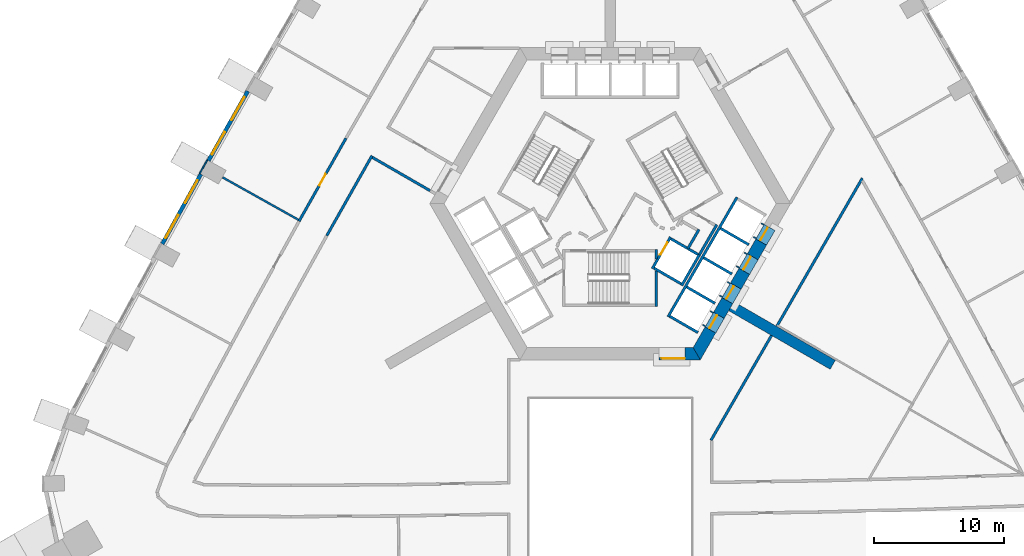
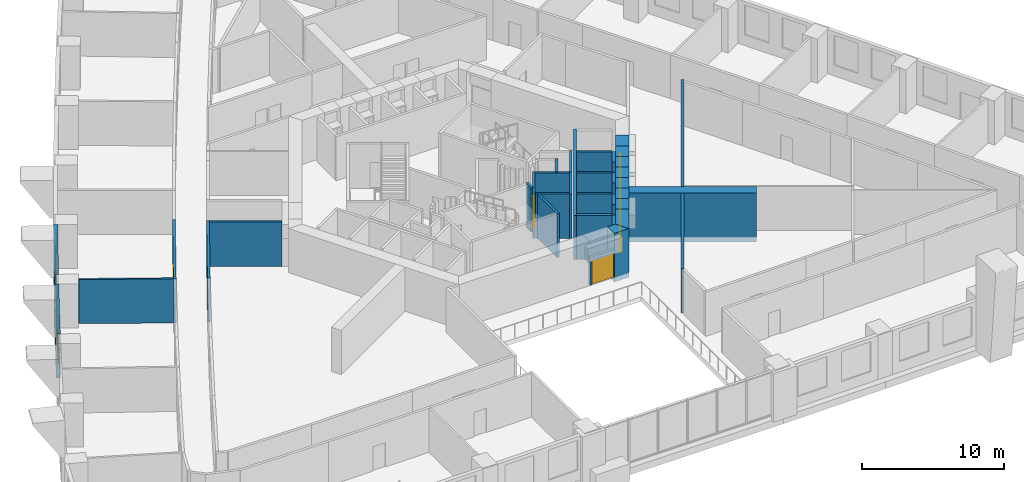
# One storey, part 6 of 17: 37 walls, 7 doors, 4 windows, 11 openings.
"""IFC4 building model written with IfcOpenShell, lengths in metres."""

import ifcopenshell
import ifcopenshell.guid

model = None  # the IFC model being written
_history = None  # IfcOwnerHistory: only IFC2X3 demands one
_inside = {}  # id of a spatial element -> (the spatial element, [elements in it])
_under = {}  # id of a project, library or spatial element -> (it, [spatial elements below it])
_declared = {}  # id of a project -> (the project, [libraries it declares])
_typed = {}  # id of a type object -> (the type object, [elements of that type])
_made_of = {}  # id of a material, layer set ... -> (it, [elements and type objects made of it])


def new_model(schema):
    """Start an empty IFC model of exactly this schema.

    Asked for "IFC4X3", IfcOpenShell would pick the latest addendum, in which some entities
    have other attributes; the version numbers below select the first issue.
    IFC2X3 requires an IfcOwnerHistory on every rooted entity: one is made here for all.
    """
    global model, _history
    if schema == "IFC4X3":
        model = ifcopenshell.file(schema_version=(4, 3, 0, 0))
    else:
        model = ifcopenshell.file(schema=schema)
    _inside.clear()
    _under.clear()
    _declared.clear()
    _typed.clear()
    _made_of.clear()
    _history = None
    if model.schema == "IFC2X3":
        org = make("IfcOrganization", Name="unknown")
        user = make(
            "IfcPersonAndOrganization",
            ThePerson=make("IfcPerson", FamilyName="unknown"),
            TheOrganization=org,
        )
        app = make(
            "IfcApplication",
            ApplicationDeveloper=org,
            Version="unknown",
            ApplicationFullName="unknown",
            ApplicationIdentifier="unknown",
        )
        _history = make(
            "IfcOwnerHistory",
            OwningUser=user,
            OwningApplication=app,
            ChangeAction="ADDED",
            CreationDate=0,
        )
    return model


def make(cls, **values):
    """One entity of the class cls with the attributes given. An attribute that is None is left unset."""
    return model.create_entity(
        cls, **{name: value for name, value in values.items() if value is not None}
    )


def rooted(cls, **values):
    """An entity with a GlobalId (a new one), such as an element, a storey or a relation."""
    return make(cls, GlobalId=ifcopenshell.guid.new(), OwnerHistory=_history, **values)


def si_unit(unit_type, name, prefix=None):
    """IfcSIUnit, for example si_unit("LENGTHUNIT", "METRE", prefix="MILLI")."""
    return make("IfcSIUnit", UnitType=unit_type, Prefix=prefix, Name=name)


def assignment(units):
    """IfcUnitAssignment: the units of a project."""
    return None if units is None else make("IfcUnitAssignment", Units=units)


def point(xyz):
    """IfcCartesianPoint."""
    return None if xyz is None else make("IfcCartesianPoint", Coordinates=xyz)


def direction(xyz):
    """IfcDirection."""
    return None if xyz is None else make("IfcDirection", DirectionRatios=xyz)


def frame(location, z_axis=None, x_axis=None):
    """IfcAxis2Placement3D, a coordinate frame: its origin and axes. An axis left out is left unset."""
    return make(
        "IfcAxis2Placement3D",
        Location=point(location),
        Axis=direction(z_axis),
        RefDirection=direction(x_axis),
    )


def frame_2d(location, x_axis=None):
    """IfcAxis2Placement2D, a coordinate frame in the plane: its origin and x axis."""
    return make(
        "IfcAxis2Placement2D", Location=point(location), RefDirection=direction(x_axis)
    )


def origin():
    """The frame at (0, 0, 0) with its axes left unset."""
    return frame((0.0, 0.0, 0.0))


def place(relative_to, where):
    """IfcLocalPlacement: puts the frame where relative to a parent placement (None: the world)."""
    return make(
        "IfcLocalPlacement", PlacementRelTo=relative_to, RelativePlacement=where
    )


def context(
    kind, dimensions, precision=None, world=None, true_north=None, identifier=None
):
    """IfcGeometricRepresentationContext, for example the 3D "Model" context."""
    return make(
        "IfcGeometricRepresentationContext",
        ContextIdentifier=identifier,
        ContextType=kind,
        CoordinateSpaceDimension=dimensions,
        Precision=precision,
        WorldCoordinateSystem=world,
        TrueNorth=true_north,
    )


def subcontext(parent, identifier, kind, view, scale=None):
    """IfcGeometricRepresentationSubContext, for example "Body" below "Model"."""
    return make(
        "IfcGeometricRepresentationSubContext",
        ContextIdentifier=identifier,
        ContextType=kind,
        ParentContext=parent,
        TargetScale=scale,
        TargetView=view,
    )


def project(units=None, contexts=None):
    """IfcProject with its units and contexts."""
    return rooted(
        "IfcProject",
        Name="project",
        RepresentationContexts=contexts,
        UnitsInContext=assignment(units),
    )


def spatial(cls, under=None, at=None, **own):
    """A site, building, storey or space (cls), placed at a placement, below another one or the project."""
    s = rooted(cls, ObjectPlacement=at, **own)
    if under is not None:
        _under.setdefault(under.id(), (under, []))[1].append(s)
    return s


def polyline(points):
    """IfcPolyline through the points."""
    return make("IfcPolyline", Points=[point(p) for p in points])


def profile(cls, at=None, kind="AREA", **sizes):
    """A parametric profile (cls). Its sizes go by their IFC names, for example OverallWidth=200.0."""
    return make(cls, ProfileType=kind, Position=at, **sizes)


def rectangle(**sizes):
    """IfcRectangleProfileDef."""
    return profile("IfcRectangleProfileDef", **sizes)


def outline(outer, holes=None, kind="AREA"):
    """IfcArbitraryClosedProfileDef: a profile drawn as a closed curve; with holes, ...WithVoids."""
    if holes is None:
        return make("IfcArbitraryClosedProfileDef", ProfileType=kind, OuterCurve=outer)
    return make(
        "IfcArbitraryProfileDefWithVoids",
        ProfileType=kind,
        OuterCurve=outer,
        InnerCurves=holes,
    )


def extrude(swept, where, along, depth):
    """IfcExtrudedAreaSolid: the profile swept, set in the frame where, extruded along a direction by depth."""
    return make(
        "IfcExtrudedAreaSolid",
        SweptArea=swept,
        Position=where,
        ExtrudedDirection=direction(along),
        Depth=depth,
    )


def shape(context_of_items, identifier, shape_type, items):
    """IfcShapeRepresentation: the items that make up one representation, for example the "Body"."""
    return make(
        "IfcShapeRepresentation",
        ContextOfItems=context_of_items,
        RepresentationIdentifier=identifier,
        RepresentationType=shape_type,
        Items=items,
    )


def material(Name=None, Category=None):
    """IfcMaterial."""
    return make("IfcMaterial", Name=Name, Category=Category)


def layer(
    of_material, thickness, ventilated=None, Name=None, Category=None, Priority=None
):
    """IfcMaterialLayer: one layer of a wall or slab, of a material (None: an air gap)."""
    return make(
        "IfcMaterialLayer",
        Material=of_material,
        LayerThickness=thickness,
        IsVentilated=ventilated,
        Name=Name,
        Category=Category,
        Priority=Priority,
    )


def layer_set(layers, Name=None):
    """IfcMaterialLayerSet."""
    return make("IfcMaterialLayerSet", MaterialLayers=layers, LayerSetName=Name)


def made_of(thing, what):
    """Note that an element or type object is made of a material, layer set ...; save() writes the relation."""
    if what is not None:
        _made_of.setdefault(what.id(), (what, []))[1].append(thing)
    return thing


def type_object(cls, material=None, **own):
    """A type object (cls), such as IfcWallType, which elements share."""
    return made_of(rooted(cls, **own), material)


def element(
    cls,
    number,
    at=None,
    inside=None,
    cuts=None,
    type_object=None,
    material=None,
    context=None,
    identifier="Body",
    shape_type=None,
    held_by="IfcProductDefinitionShape",
    body=None,
    shapes=None,
    **own,
):
    """One element of the class cls, such as IfcWall. Its Tag is "e" and its number.

    at: its placement. inside: the storey or other place that contains it. cuts: it is an
    opening in that element (IfcRelVoidsElement). A single representation is given by context,
    identifier, shape_type and body (its items); several are given by shapes. held_by: the class
    of the entity that holds the representations. save() writes the other relations.
    """
    e = rooted(cls, Tag="e%d" % number, ObjectPlacement=at, **own)
    if body is not None:
        shapes = [shape(context, identifier, shape_type, body)]
    if shapes is not None:
        e.Representation = make(held_by, Representations=shapes)
    if inside is not None:
        _inside.setdefault(inside.id(), (inside, []))[1].append(e)
    if cuts is not None:
        rooted(
            "IfcRelVoidsElement", RelatingBuildingElement=cuts, RelatedOpeningElement=e
        )
    if type_object is not None:
        _typed.setdefault(type_object.id(), (type_object, []))[1].append(e)
    return made_of(e, material)


def fill(opening, filler):
    """IfcRelFillsElement: the door or window that sits in an opening."""
    return rooted(
        "IfcRelFillsElement",
        RelatingOpeningElement=opening,
        RelatedBuildingElement=filler,
    )


def aggregate(whole, parts):
    """IfcRelAggregates: a whole, such as a stair, and the parts it consists of."""
    return rooted("IfcRelAggregates", RelatingObject=whole, RelatedObjects=parts)


def save(model, path):
    """Write the relations noted so far, then the file.

    IfcRelAggregates (storeys below a building ...), IfcRelContainedInSpatialStructure (elements
    in a storey), IfcRelDefinesByType, IfcRelAssociatesMaterial and IfcRelDeclares: one each for
    every whole, place, type object, material and project.
    """
    for whole, parts in _under.values():
        aggregate(whole, parts)
    for where, things in _inside.values():
        rooted(
            "IfcRelContainedInSpatialStructure",
            RelatedElements=things,
            RelatingStructure=where,
        )
    for kind, things in _typed.values():
        rooted("IfcRelDefinesByType", RelatedObjects=things, RelatingType=kind)
    for what, things in _made_of.values():
        rooted("IfcRelAssociatesMaterial", RelatedObjects=things, RelatingMaterial=what)
    for by, libraries in _declared.values():
        rooted("IfcRelDeclares", RelatingContext=by, RelatedDefinitions=libraries)
    model.write(path)


model = new_model("IFC4")

# Units and contexts
model_context = context("Model", 3, precision=1e-05, world=origin(), true_north=direction((0.0, 1.0)))
body_context = subcontext(model_context, "Body", "Model", "MODEL_VIEW")
ifc_project = project(units=[si_unit("LENGTHUNIT", "METRE"), si_unit("AREAUNIT", "SQUARE_METRE"), si_unit("VOLUMEUNIT", "CUBIC_METRE"), si_unit("PLANEANGLEUNIT", "RADIAN"), si_unit("MASSUNIT", "GRAM", prefix="KILO")], contexts=[model_context])

# Site, building, storey
site_placement = place(None, origin())
site = spatial("IfcSite", under=ifc_project, at=site_placement, CompositionType="ELEMENT")
building_placement = place(site_placement, origin())
building = spatial("IfcBuilding", under=site, at=building_placement, Name="Entoto Arch Interchange Tower", CompositionType="ELEMENT")
storey_placement = place(building_placement, frame((0.0, 0.0, 72.800048828125)))
storey = spatial("IfcBuildingStorey", under=building, at=storey_placement, Name="L15", CompositionType="ELEMENT", Elevation=72.800048828125)

# Wall
ifc_material_1 = material(Name="Concrete C60/75", Category="concrete")
ifc_layer_1 = layer(ifc_material_1, 0.800048828125)
ifc_layer_set_1 = layer_set([ifc_layer_1], Name="Concrete C60/75")
wall_type_1 = type_object("IfcWallType", Name="Buttress wall 800 C60/75", PredefinedType="SHEAR", material=ifc_layer_set_1)
wall_1_placement = place(storey_placement, frame((9.31005859375, -5.375, -0.400146484375), z_axis=(0.0, 0.0, 1.0), x_axis=(0.866017533419, -0.500013631625, 0.0)))
element("IfcWall", 1, at=wall_1_placement, inside=storey, type_object=wall_type_1, Name="Buttress wall SE L15", PredefinedType="SHEAR", context=body_context, shape_type="SweptSolid", body=[
    extrude(rectangle(XDim=8.999755859375, YDim=0.800048828125, at=frame_2d((4.5, 0.0))), origin(), (0.0, 0.0, 1.0), 4.2001953125),
])

# Wall, opening, door
ifc_material_2 = material(Name="Reinforced concrete C40/50", Category="concrete")
ifc_layer_2 = layer(ifc_material_2, 0.199951171875)
ifc_layer_set_2 = layer_set([ifc_layer_2], Name="Reinforced concrete C40/50")
wall_type_2 = type_object("IfcWallType", Name="CORE GAP INFILL WALL", PredefinedType="PARTITIONING", material=ifc_layer_set_2)
wall_2_placement = place(storey_placement, frame((3.75, -9.39990234375, 0.0), z_axis=(0.0, 0.0, 1.0), x_axis=(1.0, 0.0, 0.0)))
wall_2 = element("IfcWall", 2, at=wall_2_placement, inside=storey, type_object=wall_type_2, Name="wall:L15:gap1", PredefinedType="PARTITIONING", context=body_context, shape_type="SweptSolid", body=[
    extrude(rectangle(XDim=2.0, YDim=0.199951171875, at=frame_2d((1.0, 0.0))), origin(), (0.0, 0.0, 1.0), 2.39990234375),
])
opening_1_placement = place(wall_2_placement, frame((0.18994140625, 0.0, 0.0)))
opening_1 = element("IfcOpeningElement", 3, at=opening_1_placement, cuts=wall_2, Name="Opening L15-D91", PredefinedType="OPENING", context=body_context, shape_type="SweptSolid", body=[
    extrude(rectangle(XDim=1.800048828125, YDim=2.10009765625, at=frame_2d((0.89990234375, 1.050048828125))), frame((0.0, 0.10986328125, 0.0), z_axis=(0.0, -1.0, 0.0), x_axis=(1.0, 0.0, 0.0)), (0.0, 0.0, 1.0), 0.219970703125),
])
ifc_material_3 = material(Name="Fire-rated Steel S235 door and frame", Category="steel")
door_type_1 = type_object("IfcDoorType", Name="DOOR FD-18 1800x2100", OperationType="DOUBLE_DOOR_SINGLE_SWING", PredefinedType="DOOR", material=ifc_material_3)
door_1_placement = place(opening_1_placement, origin())
door_1 = element("IfcDoor", 4, at=door_1_placement, inside=storey, type_object=door_type_1, Name="door:L15:gap1", OperationType="DOUBLE_DOOR_SINGLE_SWING", OverallHeight=2.10009765625, OverallWidth=1.800048828125, PredefinedType="DOOR", context=body_context, shape_type="SweptSolid", body=[
    extrude(rectangle(XDim=1.800048828125, YDim=2.10009765625, at=frame_2d((0.89990234375, 1.050048828125))), frame((0.0, 0.02490234375, 0.0), z_axis=(0.0, -1.0, 0.0), x_axis=(1.0, 0.0, 0.0)), (0.0, 0.0, 1.0), 0.050048828125),
])
fill(opening_1, door_1)

# Walls
ifc_layer_3 = layer(ifc_material_1, 0.949951171875)
ifc_layer_set_3 = layer_set([ifc_layer_3], Name="Concrete C60/75")
wall_type_3 = type_object("IfcWallType", Name="Core wall 950 C60/75", PredefinedType="SHEAR", material=ifc_layer_set_3)
wall_3_placement = place(storey_placement, frame((0.0, 0.0, -0.400146484375)))
element("IfcWall", 5, at=wall_3_placement, inside=storey, type_object=wall_type_3, Name="Core wall S L15", PredefinedType="SHEAR", context=body_context, shape_type="SweptSolid", body=[
    extrude(outline(polyline([(5.75, -8.550048828125), (5.75, -9.5), (6.927978515625, -9.5), (6.3798828125, -8.550048828125), (5.75, -8.550048828125)])), origin(), (0.0, 0.0, 1.0), 4.2001953125),
])
wall_4_placement = place(storey_placement, frame((0.0, 0.0, -0.400146484375)))
element("IfcWall", 6, at=wall_4_placement, inside=storey, type_object=wall_type_3, Name="Core wall SE L15", PredefinedType="SHEAR", context=body_context, shape_type="SweptSolid", body=[
    extrude(outline(polyline([(8.116943359375, -7.43994140625), (7.294921875, -6.965087890625), (6.3798828125, -8.550048828125), (6.927978515625, -9.5), (8.116943359375, -7.43994140625)])), origin(), (0.0, 0.0, 1.0), 4.2001953125),
])
wall_5_placement = place(storey_placement, frame((0.0, 0.0, -0.400146484375)))
element("IfcWall", 7, at=wall_5_placement, inside=storey, type_object=wall_type_3, Name="Core wall SE L15", PredefinedType="SHEAR", context=body_context, shape_type="SweptSolid", body=[
    extrude(outline(polyline([(9.4169921875, -5.18896484375), (8.593994140625, -4.714111328125), (7.945068359375, -5.839111328125), (8.76708984375, -6.31396484375), (9.4169921875, -5.18896484375)])), origin(), (0.0, 0.0, 1.0), 4.2001953125),
])
wall_6_placement = place(storey_placement, frame((0.0, 0.0, -0.400146484375)))
element("IfcWall", 8, at=wall_6_placement, inside=storey, type_object=wall_type_3, Name="Core wall SE L15", PredefinedType="SHEAR", context=body_context, shape_type="SweptSolid", body=[
    extrude(outline(polyline([(10.717041015625, -2.93701171875), (9.89404296875, -2.4619140625), (9.243896484375, -3.587890625), (10.06689453125, -4.06298828125), (10.717041015625, -2.93701171875)])), origin(), (0.0, 0.0, 1.0), 4.2001953125),
])
wall_7_placement = place(storey_placement, frame((0.0, 0.0, -0.400146484375)))
element("IfcWall", 9, at=wall_7_placement, inside=storey, type_object=wall_type_3, Name="Core wall SE L15", PredefinedType="SHEAR", context=body_context, shape_type="SweptSolid", body=[
    extrude(outline(polyline([(12.01708984375, -0.68603515625), (11.194091796875, -0.2109375), (10.5439453125, -1.3359375), (11.366943359375, -1.81103515625), (12.01708984375, -0.68603515625)])), origin(), (0.0, 0.0, 1.0), 4.2001953125),
])
wall_8_placement = place(storey_placement, frame((0.0, 0.0, 3.599853515625)))
element("IfcWall", 10, at=wall_8_placement, inside=storey, type_object=wall_type_3, Name="Core wall lintel SE L15", PredefinedType="SHEAR", context=body_context, shape_type="SweptSolid", body=[
    extrude(outline(polyline([(8.76708984375, -6.31396484375), (7.945068359375, -5.839111328125), (7.294921875, -6.965087890625), (8.116943359375, -7.43994140625), (8.76708984375, -6.31396484375)])), origin(), (0.0, 0.0, 1.0), 0.2001953125),
])
wall_9_placement = place(storey_placement, frame((0.0, 0.0, 3.599853515625)))
element("IfcWall", 11, at=wall_9_placement, inside=storey, type_object=wall_type_3, Name="Core wall lintel SE L15", PredefinedType="SHEAR", context=body_context, shape_type="SweptSolid", body=[
    extrude(outline(polyline([(10.06689453125, -4.06298828125), (9.243896484375, -3.587890625), (8.593994140625, -4.714111328125), (9.4169921875, -5.18896484375), (10.06689453125, -4.06298828125)])), origin(), (0.0, 0.0, 1.0), 0.2001953125),
])
wall_10_placement = place(storey_placement, frame((0.0, 0.0, 3.599853515625)))
element("IfcWall", 12, at=wall_10_placement, inside=storey, type_object=wall_type_3, Name="Core wall lintel SE L15", PredefinedType="SHEAR", context=body_context, shape_type="SweptSolid", body=[
    extrude(outline(polyline([(11.366943359375, -1.81103515625), (10.5439453125, -1.3359375), (9.89404296875, -2.4619140625), (10.717041015625, -2.93701171875), (11.366943359375, -1.81103515625)])), origin(), (0.0, 0.0, 1.0), 0.2001953125),
])
wall_11_placement = place(storey_placement, frame((0.0, 0.0, 3.599853515625)))
element("IfcWall", 13, at=wall_11_placement, inside=storey, type_object=wall_type_3, Name="Core wall lintel SE L15", PredefinedType="SHEAR", context=body_context, shape_type="SweptSolid", body=[
    extrude(outline(polyline([(12.6669921875, 0.43994140625), (11.843994140625, 0.9150390625), (11.194091796875, -0.2109375), (12.01708984375, -0.68603515625), (12.6669921875, 0.43994140625)])), origin(), (0.0, 0.0, 1.0), 0.2001953125),
])

# Wall, opening, door
ifc_material_4 = material(Name="Concrete C40/50", Category="concrete")
ifc_layer_4 = layer(ifc_material_4, 1.199951171875)
ifc_layer_set_4 = layer_set([ifc_layer_4], Name="Concrete C40/50")
wall_type_4 = type_object("IfcWallType", Name="LIFT LANDING INFILL WALL", PredefinedType="STANDARD", material=ifc_layer_set_4)
wall_12_placement = place(storey_placement, frame((7.597900390625, -7.139892578125, 0.0), z_axis=(0.0, 0.0, 1.0), x_axis=(0.500362116554, 0.865816234728, 0.0)))
wall_12 = element("IfcWall", 14, at=wall_12_placement, inside=storey, type_object=wall_type_4, Name="Lift landing infill wall LR5 L15", PredefinedType="STANDARD", context=body_context, shape_type="SweptSolid", body=[
    extrude(rectangle(XDim=1.29931640625, YDim=1.199951171875, at=frame_2d((0.649658203125, 0.0))), origin(), (0.0, 0.0, 1.0), 2.39990234375),
])
opening_2_placement = place(wall_12_placement, frame((0.10009765625, 0.0, 0.0)))
opening_2 = element("IfcOpeningElement", 15, at=opening_2_placement, cuts=wall_12, Name="Opening LD-LR5-L15", PredefinedType="OPENING", context=body_context, shape_type="SweptSolid", body=[
    extrude(rectangle(XDim=1.10009765625, YDim=2.300048828125, at=frame_2d((0.550048828125, 1.14990234375))), frame((0.0, 0.60986328125, 0.0), z_axis=(0.0, -1.0, 0.0), x_axis=(1.0, 0.0, 0.0)), (0.0, 0.0, 1.0), 1.219970703125),
])
ifc_material_5 = material(Name="Stainless steel 1.4301 panels", Category="steel")
door_type_2 = type_object("IfcDoorType", Name="LIFT LANDING DOOR LD2 1100x2300", OperationType="SLIDING_TO_LEFT", PredefinedType="DOOR", material=ifc_material_5)
door_2_placement = place(opening_2_placement, origin())
door_2 = element("IfcDoor", 16, at=door_2_placement, inside=storey, type_object=door_type_2, Name="Lift landing door LR5 L15", OperationType="SLIDING_TO_LEFT", OverallHeight=2.300048828125, OverallWidth=1.10009765625, PredefinedType="DOOR", context=body_context, shape_type="SweptSolid", body=[
    extrude(rectangle(XDim=1.10009765625, YDim=2.300048828125, at=frame_2d((0.550048828125, 1.14990234375))), frame((0.0, 0.02490234375, 0.0), z_axis=(0.0, -1.0, 0.0), x_axis=(1.0, 0.0, 0.0)), (0.0, 0.0, 1.0), 0.050048828125),
])
fill(opening_2, door_2)

wall_13_placement = place(storey_placement, frame((8.89794921875, -4.888916015625, 0.0), z_axis=(0.0, 0.0, 1.0), x_axis=(0.500036693733, 0.866004217611, 0.0)))
wall_13 = element("IfcWall", 17, at=wall_13_placement, inside=storey, type_object=wall_type_4, Name="Lift landing infill wall LR6 L15", PredefinedType="STANDARD", context=body_context, shape_type="SweptSolid", body=[
    extrude(rectangle(XDim=1.30029296875, YDim=1.199951171875, at=frame_2d((0.650146484375, 0.0))), origin(), (0.0, 0.0, 1.0), 2.39990234375),
])
opening_3_placement = place(wall_13_placement, frame((0.10009765625, 0.0, 0.0)))
opening_3 = element("IfcOpeningElement", 18, at=opening_3_placement, cuts=wall_13, Name="Opening LD-LR6-L15", PredefinedType="OPENING", context=body_context, shape_type="SweptSolid", body=[
    extrude(rectangle(XDim=1.10009765625, YDim=2.300048828125, at=frame_2d((0.550048828125, 1.14990234375))), frame((0.0, 0.60986328125, 0.0), z_axis=(0.0, -1.0, 0.0), x_axis=(1.0, 0.0, 0.0)), (0.0, 0.0, 1.0), 1.219970703125),
])
door_3_placement = place(opening_3_placement, origin())
door_3 = element("IfcDoor", 19, at=door_3_placement, inside=storey, type_object=door_type_2, Name="Lift landing door LR6 L15", OperationType="SLIDING_TO_LEFT", OverallHeight=2.300048828125, OverallWidth=1.10009765625, PredefinedType="DOOR", context=body_context, shape_type="SweptSolid", body=[
    extrude(rectangle(XDim=1.10009765625, YDim=2.300048828125, at=frame_2d((0.550048828125, 1.14990234375))), frame((0.0, 0.02490234375, 0.0), z_axis=(0.0, -1.0, 0.0), x_axis=(1.0, 0.0, 0.0)), (0.0, 0.0, 1.0), 0.050048828125),
])
fill(opening_3, door_3)

wall_14_placement = place(storey_placement, frame((10.197998046875, -2.636962890625, 0.0), z_axis=(0.0, 0.0, 1.0), x_axis=(0.49989585183, 0.866085525409, 0.0)))
wall_14 = element("IfcWall", 20, at=wall_14_placement, inside=storey, type_object=wall_type_4, Name="Lift landing infill wall LR7 L15", PredefinedType="STANDARD", context=body_context, shape_type="SweptSolid", body=[
    extrude(rectangle(XDim=1.300048828125, YDim=1.199951171875, at=frame_2d((0.64990234375, 0.0))), origin(), (0.0, 0.0, 1.0), 2.39990234375),
])
opening_4_placement = place(wall_14_placement, frame((0.10009765625, 0.0, 0.0)))
opening_4 = element("IfcOpeningElement", 21, at=opening_4_placement, cuts=wall_14, Name="Opening LD-LR7-L15", PredefinedType="OPENING", context=body_context, shape_type="SweptSolid", body=[
    extrude(rectangle(XDim=1.10009765625, YDim=2.300048828125, at=frame_2d((0.550048828125, 1.14990234375))), frame((0.0, 0.60986328125, 0.0), z_axis=(0.0, -1.0, 0.0), x_axis=(1.0, 0.0, 0.0)), (0.0, 0.0, 1.0), 1.219970703125),
])
door_4_placement = place(opening_4_placement, origin())
door_4 = element("IfcDoor", 22, at=door_4_placement, inside=storey, type_object=door_type_2, Name="Lift landing door LR7 L15", OperationType="SLIDING_TO_LEFT", OverallHeight=2.300048828125, OverallWidth=1.10009765625, PredefinedType="DOOR", context=body_context, shape_type="SweptSolid", body=[
    extrude(rectangle(XDim=1.10009765625, YDim=2.300048828125, at=frame_2d((0.550048828125, 1.14990234375))), frame((0.0, 0.02490234375, 0.0), z_axis=(0.0, -1.0, 0.0), x_axis=(1.0, 0.0, 0.0)), (0.0, 0.0, 1.0), 0.050048828125),
])
fill(opening_4, door_4)

wall_15_placement = place(storey_placement, frame((11.498046875, -0.385009765625, 0.0), z_axis=(0.0, 0.0, 1.0), x_axis=(0.500221244143, 0.865897630733, 0.0)))
wall_15 = element("IfcWall", 23, at=wall_15_placement, inside=storey, type_object=wall_type_4, Name="Lift landing infill wall LR8 L15", PredefinedType="STANDARD", context=body_context, shape_type="SweptSolid", body=[
    extrude(rectangle(XDim=1.29931640625, YDim=1.199951171875, at=frame_2d((0.649658203125, 0.0))), origin(), (0.0, 0.0, 1.0), 2.39990234375),
])
opening_5_placement = place(wall_15_placement, frame((0.10009765625, 0.0, 0.0)))
opening_5 = element("IfcOpeningElement", 24, at=opening_5_placement, cuts=wall_15, Name="Opening LD-LR8-L15", PredefinedType="OPENING", context=body_context, shape_type="SweptSolid", body=[
    extrude(rectangle(XDim=1.10009765625, YDim=2.300048828125, at=frame_2d((0.550048828125, 1.14990234375))), frame((0.0, 0.60986328125, 0.0), z_axis=(0.0, -1.0, 0.0), x_axis=(1.0, 0.0, 0.0)), (0.0, 0.0, 1.0), 1.219970703125),
])
door_5_placement = place(opening_5_placement, origin())
door_5 = element("IfcDoor", 25, at=door_5_placement, inside=storey, type_object=door_type_2, Name="Lift landing door LR8 L15", OperationType="SLIDING_TO_LEFT", OverallHeight=2.300048828125, OverallWidth=1.10009765625, PredefinedType="DOOR", context=body_context, shape_type="SweptSolid", body=[
    extrude(rectangle(XDim=1.10009765625, YDim=2.300048828125, at=frame_2d((0.550048828125, 1.14990234375))), frame((0.0, 0.02490234375, 0.0), z_axis=(0.0, -1.0, 0.0), x_axis=(1.0, 0.0, 0.0)), (0.0, 0.0, 1.0), 0.050048828125),
])
fill(opening_5, door_5)

ifc_layer_5 = layer(ifc_material_4, 0.199951171875)
ifc_layer_set_5 = layer_set([ifc_layer_5], Name="Concrete C40/50")
wall_type_5 = type_object("IfcWallType", Name="LIFT SHAFT WALL 200", PredefinedType="STANDARD", material=ifc_layer_set_5)
wall_16_placement = place(storey_placement, frame((3.239990234375, -2.488037109375, 0.0), z_axis=(0.0, 0.0, 1.0), x_axis=(0.49994636267, 0.866056369097, 0.0)))
wall_16 = element("IfcWall", 26, at=wall_16_placement, inside=storey, type_object=wall_type_5, Name="Shaft wall SE1 front", PredefinedType="STANDARD", context=body_context, shape_type="SweptSolid", body=[
    extrude(rectangle(XDim=2.800048828125, YDim=0.199951171875, at=frame_2d((1.39990234375, 0.0))), origin(), (0.0, 0.0, 1.0), 3.800048828125),
])
opening_6_placement = place(wall_16_placement, frame((1.22509765625, 0.0, 0.0)))
opening_6 = element("IfcOpeningElement", 27, at=opening_6_placement, cuts=wall_16, Name="Opening LD-FF1-L15", PredefinedType="OPENING", context=body_context, shape_type="SweptSolid", body=[
    extrude(rectangle(XDim=1.10009765625, YDim=2.10009765625, at=frame_2d((0.550048828125, 1.050048828125))), frame((0.0, 0.10986328125, 0.0), z_axis=(0.0, -1.0, 0.0), x_axis=(1.0, 0.0, 0.0)), (0.0, 0.0, 1.0), 0.219970703125),
])
door_type_3 = type_object("IfcDoorType", Name="LIFT LANDING DOOR LD1 1100x2100", OperationType="SLIDING_TO_LEFT", PredefinedType="DOOR", material=ifc_material_5)
door_6_placement = place(opening_6_placement, origin())
door_6 = element("IfcDoor", 28, at=door_6_placement, inside=storey, type_object=door_type_3, Name="Lift landing door FF1 L15", OperationType="SLIDING_TO_LEFT", OverallHeight=2.10009765625, OverallWidth=1.10009765625, PredefinedType="DOOR", context=body_context, shape_type="SweptSolid", body=[
    extrude(rectangle(XDim=1.10009765625, YDim=2.10009765625, at=frame_2d((0.550048828125, 1.050048828125))), frame((0.0, 0.02490234375, 0.0), z_axis=(0.0, -1.0, 0.0), x_axis=(1.0, 0.0, 0.0)), (0.0, 0.0, 1.0), 0.050048828125),
])
fill(opening_6, door_6)

# Walls
wall_17_placement = place(storey_placement, frame((5.491943359375, -3.7880859375, 0.0), z_axis=(0.0, 0.0, 1.0), x_axis=(0.500011755427, 0.866018616679, 0.0)))
element("IfcWall", 29, at=wall_17_placement, inside=storey, type_object=wall_type_5, Name="Shaft wall SE1 back", PredefinedType="STANDARD", context=body_context, shape_type="SweptSolid", body=[
    extrude(rectangle(XDim=2.80029296875, YDim=0.199951171875, at=frame_2d((1.400146484375, 0.0))), origin(), (0.0, 0.0, 1.0), 3.800048828125),
])
wall_18_placement = place(storey_placement, frame((3.376953125, -2.451904296875, 0.0), z_axis=(0.0, 0.0, 1.0), x_axis=(0.865955154139, -0.50012165622, 0.0)))
element("IfcWall", 30, at=wall_18_placement, inside=storey, type_object=wall_type_5, Name="Shaft wall SE1 cross 1", PredefinedType="STANDARD", context=body_context, shape_type="SweptSolid", body=[
    extrude(rectangle(XDim=2.39990234375, YDim=0.199951171875, at=frame_2d((1.199951171875, 0.0))), origin(), (0.0, 0.0, 1.0), 3.800048828125),
])
wall_19_placement = place(storey_placement, frame((4.677001953125, -0.199951171875, 0.0), z_axis=(0.0, 0.0, 1.0), x_axis=(0.865973769406, -0.500089422704, 0.0)))
element("IfcWall", 31, at=wall_19_placement, inside=storey, type_object=wall_type_5, Name="Shaft wall SE1 cross 2", PredefinedType="STANDARD", context=body_context, shape_type="SweptSolid", body=[
    extrude(rectangle(XDim=2.3994140625, YDim=0.199951171875, at=frame_2d((1.19970703125, 0.0))), origin(), (0.0, 0.0, 1.0), 3.800048828125),
])
wall_20_placement = place(storey_placement, frame((4.450927734375, -6.18994140625, 0.0), z_axis=(0.0, 0.0, 1.0), x_axis=(0.50000090737, 0.866024879913, 0.0)))
element("IfcWall", 32, at=wall_20_placement, inside=storey, type_object=wall_type_5, Name="Shaft wall SE3 front", PredefinedType="STANDARD", context=body_context, shape_type="SweptSolid", body=[
    extrude(rectangle(XDim=10.60009765625, YDim=0.199951171875, at=frame_2d((5.300048828125, 0.0))), origin(), (0.0, 0.0, 1.0), 3.800048828125),
])
for number, where, z_axis, x_axis, name in (
    (33, (4.587890625, -6.153076171875, 0.0), (0.0, 0.0, 1.0), (0.866022959057, -0.500004234368, 0.0), "Shaft wall SE3 cross 1"),
    (34, (5.887939453125, -3.902099609375, 0.0), (0.0, 0.0, 1.0), (0.866022959057, -0.500004234368, 0.0), "Shaft wall SE3 cross 2"),
    (35, (7.18798828125, -1.64990234375, 0.0), (0.0, 0.0, 1.0), (0.866022959057, -0.500004234368, 0.0), "Shaft wall SE3 cross 3"),
    (36, (8.488037109375, 0.60205078125, 0.0), (0.0, 0.0, 1.0), (0.866022959057, -0.500004234368, 0.0), "Shaft wall SE3 cross 4"),
):
    element("IfcWall", number, at=place(storey_placement, frame(where, z_axis=z_axis, x_axis=x_axis)), inside=storey, type_object=wall_type_5, Name=name, PredefinedType="STANDARD", context=body_context, shape_type="SweptSolid", body=[
        extrude(rectangle(XDim=2.5, YDim=0.199951171875, at=frame_2d((1.25, 0.0))), origin(), (0.0, 0.0, 1.0), 3.800048828125),
    ])
ifc_material_6 = material(Name="Gypsum board partition on steel studs", Category="steel")
ifc_layer_6 = layer(ifc_material_6, 0.14990234375)
ifc_layer_set_6 = layer_set([ifc_layer_6], Name="Gypsum board partition on steel studs")
wall_type_6 = type_object("IfcWallType", Name="PARTITION 150", PredefinedType="PARTITIONING", material=ifc_layer_set_6)
wall_21_placement = place(storey_placement, frame((-23.950927734375, 1.26611328125, 0.0), z_axis=(0.0, 0.0, 1.0), x_axis=(-0.872786908026, 0.488101437385, 0.0)))
element("IfcWall", 37, at=wall_21_placement, inside=storey, type_object=wall_type_6, Name="wall:L15:p146", PredefinedType="PARTITIONING", context=body_context, shape_type="SweptSolid", body=[
    extrude(rectangle(XDim=6.680908203125, YDim=0.14990234375, at=frame_2d((3.34033203125, 0.0))), origin(), (0.0, 0.0, 1.0), 3.800048828125),
])
ifc_layer_7 = layer(ifc_material_6, 0.199951171875)
ifc_layer_set_7 = layer_set([ifc_layer_7], Name="Gypsum board partition on steel studs")
wall_type_7 = type_object("IfcWallType", Name="PARTITION 200", PredefinedType="PARTITIONING", material=ifc_layer_set_7)
wall_22_placement = place(storey_placement, frame((-18.294921875, 6.19189453125, 0.0), z_axis=(0.0, 0.0, 1.0), x_axis=(-0.492193980341, -0.870485545954, 0.0)))
element("IfcWall", 38, at=wall_22_placement, inside=storey, type_object=wall_type_7, Name="wall:L15:p030", PredefinedType="PARTITIONING", context=body_context, shape_type="SweptSolid", body=[
    extrude(rectangle(XDim=7.060302734375, YDim=0.199951171875, at=frame_2d((3.5302734375, 0.0))), origin(), (0.0, 0.0, 1.0), 3.800048828125),
])

# Wall, opening, door
wall_23_placement = place(storey_placement, frame((-23.90087890625, 1.152099609375, 0.0), z_axis=(0.0, 0.0, 1.0), x_axis=(0.492063845089, 0.870559114797, 0.0)))
wall_23 = element("IfcWall", 39, at=wall_23_placement, inside=storey, type_object=wall_type_7, Name="wall:L15:p066", PredefinedType="PARTITIONING", context=body_context, shape_type="SweptSolid", body=[
    extrude(rectangle(XDim=7.326171875, YDim=0.199951171875, at=frame_2d((3.6630859375, 0.0))), origin(), (0.0, 0.0, 1.0), 3.800048828125),
])
opening_7_placement = place(wall_23_placement, frame((3.1630859375, 0.0, 0.0)))
opening_7 = element("IfcOpeningElement", 40, at=opening_7_placement, cuts=wall_23, Name="Opening L15-D15", PredefinedType="OPENING", context=body_context, shape_type="SweptSolid", body=[
    extrude(rectangle(XDim=1.0, YDim=2.10009765625, at=frame_2d((0.5, 1.050048828125))), frame((0.0, 0.10986328125, 0.0), z_axis=(0.0, -1.0, 0.0), x_axis=(1.0, 0.0, 0.0)), (0.0, 0.0, 1.0), 0.219970703125),
])
ifc_material_7 = material(Name="Timber door leaf in Steel S235 frame", Category="steel")
door_type_4 = type_object("IfcDoorType", Name="DOOR DS-10 1000x2100", OperationType="SINGLE_SWING_LEFT", PredefinedType="DOOR", material=ifc_material_7)
door_7_placement = place(opening_7_placement, origin())
door_7 = element("IfcDoor", 41, at=door_7_placement, inside=storey, type_object=door_type_4, Name="door:L15:15", OperationType="SINGLE_SWING_LEFT", OverallHeight=2.10009765625, OverallWidth=1.0, PredefinedType="DOOR", context=body_context, shape_type="SweptSolid", body=[
    extrude(rectangle(XDim=1.0, YDim=2.10009765625, at=frame_2d((0.5, 1.050048828125))), frame((0.0, 0.02490234375, 0.0), z_axis=(0.0, -1.0, 0.0), x_axis=(1.0, 0.0, 0.0)), (0.0, 0.0, 1.0), 0.050048828125),
])
fill(opening_7, door_7)

# Walls
wall_24_placement = place(storey_placement, frame((6.825927734375, 0.52197265625, 0.0), z_axis=(0.0, 0.0, 1.0), x_axis=(-0.500016722714, -0.866015748706, 0.0)))
element("IfcWall", 42, at=wall_24_placement, inside=storey, type_object=wall_type_7, Name="wall:L15:p081", PredefinedType="PARTITIONING", context=body_context, shape_type="SweptSolid", body=[
    extrude(rectangle(XDim=1.69970703125, YDim=0.199951171875, at=frame_2d((0.849853515625, 0.0))), origin(), (0.0, 0.0, 1.0), 3.800048828125),
])
wall_25_placement = place(storey_placement, frame((8.19189453125, 0.887939453125, 0.0), z_axis=(0.0, 0.0, 1.0), x_axis=(-0.499940625693, -0.866059680843, 0.0)))
element("IfcWall", 43, at=wall_25_placement, inside=storey, type_object=wall_type_7, Name="wall:L15:p083", PredefinedType="PARTITIONING", context=body_context, shape_type="SweptSolid", body=[
    extrude(rectangle(XDim=2.679931640625, YDim=0.199951171875, at=frame_2d((1.33984375, 0.0))), origin(), (0.0, 0.0, 1.0), 3.800048828125),
])
wall_26_placement = place(storey_placement, frame((12.39990234375, -7.62109375, 0.0), z_axis=(0.0, 0.0, 1.0), x_axis=(-0.49990497871, -0.866080257402, 0.0)))
element("IfcWall", 44, at=wall_26_placement, inside=storey, type_object=wall_type_7, Name="wall:L15:p116", PredefinedType="PARTITIONING", context=body_context, shape_type="SweptSolid", body=[
    extrude(rectangle(XDim=9.301513671875, YDim=0.199951171875, at=frame_2d((4.65087890625, 0.0))), origin(), (0.0, 0.0, 1.0), 3.800048828125),
])
wall_27_placement = place(storey_placement, frame((19.3740234375, 4.4580078125, 0.0), z_axis=(0.0, 0.0, 1.0), x_axis=(-0.499973880856, -0.866040483154, 0.0)))
element("IfcWall", 45, at=wall_27_placement, inside=storey, type_object=wall_type_7, Name="wall:L15:p117", PredefinedType="PARTITIONING", context=body_context, shape_type="SweptSolid", body=[
    extrude(rectangle(XDim=13.112548828125, YDim=0.199951171875, at=frame_2d((6.55615234375, 0.0))), origin(), (0.0, 0.0, 1.0), 3.800048828125),
])
wall_28_placement = place(storey_placement, frame((-13.8291015625, 3.498046875, 0.0), z_axis=(0.0, 0.0, 1.0), x_axis=(-0.866040105854, 0.499974534403, 0.0)))
element("IfcWall", 46, at=wall_28_placement, inside=storey, type_object=wall_type_7, Name="wall:L15:p029", PredefinedType="PARTITIONING", context=body_context, shape_type="SweptSolid", body=[
    extrude(rectangle(XDim=5.114013671875, YDim=0.199951171875, at=frame_2d((2.55712890625, 0.0))), origin(), (0.0, 0.0, 1.0), 3.800048828125),
])
ifc_layer_8 = layer(ifc_material_4, 0.199951171875)
ifc_layer_set_8 = layer_set([ifc_layer_8], Name="Concrete C40/50")
wall_type_8 = type_object("IfcWallType", Name="STAIR ENCLOSURE WALL 200", PredefinedType="STANDARD", material=ifc_layer_set_8)
wall_29_placement = place(storey_placement, frame((3.550048828125, -2.6669921875, 0.0), z_axis=(0.0, 0.0, 1.0), x_axis=(0.0, -1.0, 0.0)))
element("IfcWall", 47, at=wall_29_placement, inside=storey, type_object=wall_type_8, Name="Stair wall ST-S far", PredefinedType="STANDARD", context=body_context, shape_type="SweptSolid", body=[
    extrude(rectangle(XDim=2.73291015625, YDim=0.199951171875, at=frame_2d((1.366455078125, 0.0))), origin(), (0.0, 0.0, 1.0), 3.800048828125),
])
wall_30_placement = place(storey_placement, frame((3.550048828125, -1.0, 0.0), z_axis=(0.0, 0.0, 1.0), x_axis=(0.0, -1.0, 0.0)))
element("IfcWall", 48, at=wall_30_placement, inside=storey, type_object=wall_type_8, Name="Stair wall ST-S far return", PredefinedType="STANDARD", context=body_context, shape_type="SweptSolid", body=[
    extrude(rectangle(XDim=0.7509765625, YDim=0.199951171875, at=frame_2d((0.37548828125, 0.0))), origin(), (0.0, 0.0, 1.0), 3.800048828125),
])

# Wall, openings, windows
ifc_material_8 = material(Name="Welded tuff (ignimbrite) cladding, warm buff", Category="masonry")
ifc_layer_9 = layer(ifc_material_8, 0.300048828125)
ifc_layer_set_9 = layer_set([ifc_layer_9], Name="Welded tuff (ignimbrite) cladding, warm buff")
wall_type_9 = type_object("IfcWallType", Name="STONE INFILL WALL 300", PredefinedType="STANDARD", material=ifc_layer_set_9)
wall_31_placement = place(storey_placement, frame((-27.840087890625, 11.15087890625, 0.0), z_axis=(0.0, 0.0, 1.0), x_axis=(-0.492097935349, -0.870539845168, 0.0)))
wall_31 = element("IfcWall", 49, at=wall_31_placement, inside=storey, type_object=wall_type_9, Name="Facade wall NW-06 L15", PredefinedType="STANDARD", context=body_context, shape_type="SweptSolid", body=[
    extrude(rectangle(XDim=6.130615234375, YDim=0.300048828125, at=frame_2d((3.0654296875, 0.0))), origin(), (0.0, 0.0, 1.0), 3.800048828125),
])
opening_8_placement = place(wall_31_placement, frame((0.532958984375, 0.0, 0.89990234375)))
opening_8 = element("IfcOpeningElement", 50, at=opening_8_placement, cuts=wall_31, Name="Opening WO-C", PredefinedType="OPENING", context=body_context, shape_type="SweptSolid", body=[
    extrude(rectangle(XDim=2.0, YDim=2.60009765625, at=frame_2d((1.0, 1.300048828125))), frame((0.0, 0.16015625, 0.0), z_axis=(0.0, -1.0, 0.0), x_axis=(1.0, 0.0, 0.0)), (0.0, 0.0, 1.0), 0.320068359375),
])
opening_9_placement = place(wall_31_placement, frame((3.597900390625, 0.0, 0.89990234375)))
opening_9 = element("IfcOpeningElement", 51, at=opening_9_placement, cuts=wall_31, Name="Opening WO-C", PredefinedType="OPENING", context=body_context, shape_type="SweptSolid", body=[
    extrude(rectangle(XDim=2.0, YDim=2.60009765625, at=frame_2d((1.0, 1.300048828125))), frame((0.0, 0.16015625, 0.0), z_axis=(0.0, -1.0, 0.0), x_axis=(1.0, 0.0, 0.0)), (0.0, 0.0, 1.0), 0.320068359375),
])
ifc_material_9 = material(Name="Clear glass, low-e double glazed", Category="glass")
window_type = type_object("IfcWindowType", Name="WINDOW WO-C 2000x2600", PartitioningType="DOUBLE_PANEL_VERTICAL", PredefinedType="WINDOW", material=ifc_material_9)
window_1_placement = place(opening_8_placement, origin())
window_1 = element("IfcWindow", 52, at=window_1_placement, inside=storey, type_object=window_type, Name="Window WO-C NW-06 L15", OverallHeight=2.60009765625, OverallWidth=2.0, PartitioningType="SINGLE_PANEL", PredefinedType="WINDOW", context=body_context, shape_type="SweptSolid", body=[
    extrude(rectangle(XDim=2.0, YDim=2.60009765625, at=frame_2d((1.0, 1.300048828125))), frame((0.0, 0.030029296875, 0.0), z_axis=(0.0, -1.0, 0.0), x_axis=(1.0, 0.0, 0.0)), (0.0, 0.0, 1.0), 0.06005859375),
])
fill(opening_8, window_1)
window_2_placement = place(opening_9_placement, origin())
window_2 = element("IfcWindow", 53, at=window_2_placement, inside=storey, type_object=window_type, Name="Window WO-C NW-06 L15", OverallHeight=2.60009765625, OverallWidth=2.0, PartitioningType="SINGLE_PANEL", PredefinedType="WINDOW", context=body_context, shape_type="SweptSolid", body=[
    extrude(rectangle(XDim=2.0, YDim=2.60009765625, at=frame_2d((1.0, 1.300048828125))), frame((0.0, 0.030029296875, 0.0), z_axis=(0.0, -1.0, 0.0), x_axis=(1.0, 0.0, 0.0)), (0.0, 0.0, 1.0), 0.06005859375),
])
fill(opening_9, window_2)

wall_32_placement = place(storey_placement, frame((-31.44189453125, 4.76904296875, 0.0), z_axis=(0.0, 0.0, 1.0), x_axis=(-0.484025698618, -0.875053782963, 0.0)))
wall_32 = element("IfcWall", 54, at=wall_32_placement, inside=storey, type_object=wall_type_9, Name="Facade wall NW-07 L15", PredefinedType="STANDARD", context=body_context, shape_type="SweptSolid", body=[
    extrude(rectangle(XDim=6.1298828125, YDim=0.300048828125, at=frame_2d((3.06494140625, 0.0))), origin(), (0.0, 0.0, 1.0), 3.800048828125),
])
opening_10_placement = place(wall_32_placement, frame((0.531982421875, 0.0, 0.89990234375)))
opening_10 = element("IfcOpeningElement", 55, at=opening_10_placement, cuts=wall_32, Name="Opening WO-C", PredefinedType="OPENING", context=body_context, shape_type="SweptSolid", body=[
    extrude(rectangle(XDim=2.0, YDim=2.60009765625, at=frame_2d((1.0, 1.300048828125))), frame((0.0, 0.16015625, 0.0), z_axis=(0.0, -1.0, 0.0), x_axis=(1.0, 0.0, 0.0)), (0.0, 0.0, 1.0), 0.320068359375),
])
opening_11_placement = place(wall_32_placement, frame((3.596923828125, 0.0, 0.89990234375)))
opening_11 = element("IfcOpeningElement", 56, at=opening_11_placement, cuts=wall_32, Name="Opening WO-C", PredefinedType="OPENING", context=body_context, shape_type="SweptSolid", body=[
    extrude(rectangle(XDim=2.0, YDim=2.60009765625, at=frame_2d((1.0, 1.300048828125))), frame((0.0, 0.16015625, 0.0), z_axis=(0.0, -1.0, 0.0), x_axis=(1.0, 0.0, 0.0)), (0.0, 0.0, 1.0), 0.320068359375),
])
window_3_placement = place(opening_10_placement, origin())
window_3 = element("IfcWindow", 57, at=window_3_placement, inside=storey, type_object=window_type, Name="Window WO-C NW-07 L15", OverallHeight=2.60009765625, OverallWidth=2.0, PartitioningType="SINGLE_PANEL", PredefinedType="WINDOW", context=body_context, shape_type="SweptSolid", body=[
    extrude(rectangle(XDim=2.0, YDim=2.60009765625, at=frame_2d((1.0, 1.300048828125))), frame((0.0, 0.030029296875, 0.0), z_axis=(0.0, -1.0, 0.0), x_axis=(1.0, 0.0, 0.0)), (0.0, 0.0, 1.0), 0.06005859375),
])
fill(opening_10, window_3)
window_4_placement = place(opening_11_placement, origin())
window_4 = element("IfcWindow", 58, at=window_4_placement, inside=storey, type_object=window_type, Name="Window WO-C NW-07 L15", OverallHeight=2.60009765625, OverallWidth=2.0, PartitioningType="SINGLE_PANEL", PredefinedType="WINDOW", context=body_context, shape_type="SweptSolid", body=[
    extrude(rectangle(XDim=2.0, YDim=2.60009765625, at=frame_2d((1.0, 1.300048828125))), frame((0.0, 0.030029296875, 0.0), z_axis=(0.0, -1.0, 0.0), x_axis=(1.0, 0.0, 0.0)), (0.0, 0.0, 1.0), 0.06005859375),
])
fill(opening_11, window_4)

# Wall
ifc_layer_10 = layer(ifc_material_8, 0.10009765625)
ifc_layer_set_10 = layer_set([ifc_layer_10], Name="Welded tuff (ignimbrite) cladding, warm buff")
wall_type_10 = type_object("IfcWallType", Name="STONE PIER CLADDING 100", PredefinedType="STANDARD", material=ifc_layer_set_10)
wall_33_placement = place(storey_placement, frame((-30.947021484375, 5.865966796875, 0.0), z_axis=(0.0, 0.0, 1.0), x_axis=(-0.486817526853, -0.873503689488, 0.0)))
element("IfcWall", 59, at=wall_33_placement, inside=storey, type_object=wall_type_10, Name="Stone pier NW07 L15", PredefinedType="STANDARD", context=body_context, shape_type="SweptSolid", body=[
    extrude(rectangle(XDim=1.19970703125, YDim=0.10009765625, at=frame_2d((0.599853515625, 0.0))), origin(), (0.0, 0.0, 1.0), 3.800048828125),
])

save(model, "model.ifc")
